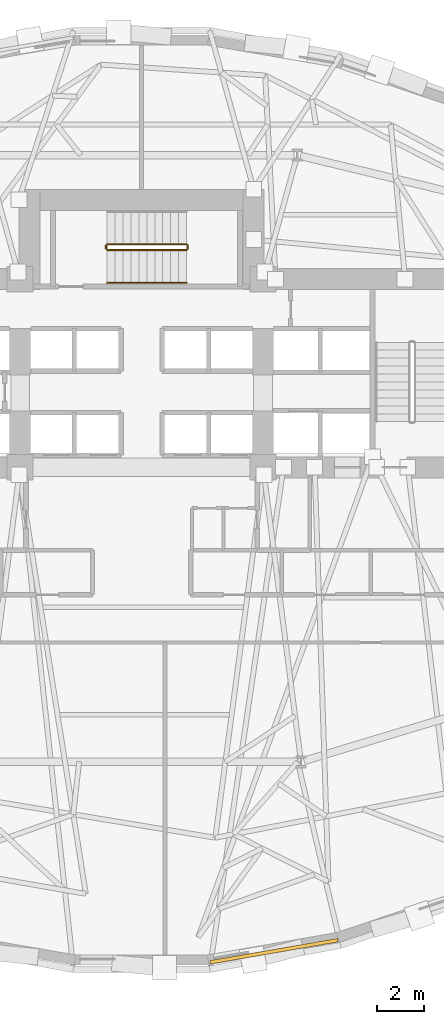
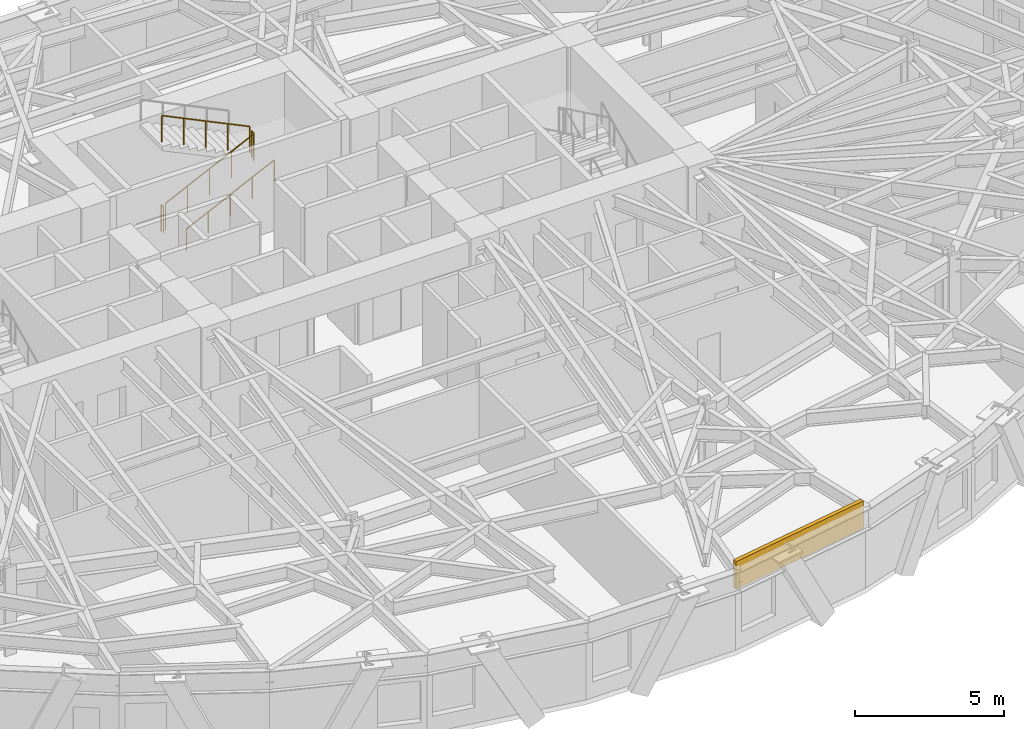
# One storey, part 12 of 14: 5 railings, 1 covering.
"""IFC4 building model written with IfcOpenShell, lengths in metres."""

import ifcopenshell
import ifcopenshell.guid

model = None  # the IFC model being written
_history = None  # IfcOwnerHistory: only IFC2X3 demands one
_inside = {}  # id of a spatial element -> (the spatial element, [elements in it])
_under = {}  # id of a project, library or spatial element -> (it, [spatial elements below it])
_declared = {}  # id of a project -> (the project, [libraries it declares])
_typed = {}  # id of a type object -> (the type object, [elements of that type])
_made_of = {}  # id of a material, layer set ... -> (it, [elements and type objects made of it])


def new_model(schema):
    """Start an empty IFC model of exactly this schema.

    Asked for "IFC4X3", IfcOpenShell would pick the latest addendum, in which some entities
    have other attributes; the version numbers below select the first issue.
    IFC2X3 requires an IfcOwnerHistory on every rooted entity: one is made here for all.
    """
    global model, _history
    if schema == "IFC4X3":
        model = ifcopenshell.file(schema_version=(4, 3, 0, 0))
    else:
        model = ifcopenshell.file(schema=schema)
    _inside.clear()
    _under.clear()
    _declared.clear()
    _typed.clear()
    _made_of.clear()
    _history = None
    if model.schema == "IFC2X3":
        org = make("IfcOrganization", Name="unknown")
        user = make(
            "IfcPersonAndOrganization",
            ThePerson=make("IfcPerson", FamilyName="unknown"),
            TheOrganization=org,
        )
        app = make(
            "IfcApplication",
            ApplicationDeveloper=org,
            Version="unknown",
            ApplicationFullName="unknown",
            ApplicationIdentifier="unknown",
        )
        _history = make(
            "IfcOwnerHistory",
            OwningUser=user,
            OwningApplication=app,
            ChangeAction="ADDED",
            CreationDate=0,
        )
    return model


def make(cls, **values):
    """One entity of the class cls with the attributes given. An attribute that is None is left unset."""
    return model.create_entity(
        cls, **{name: value for name, value in values.items() if value is not None}
    )


def rooted(cls, **values):
    """An entity with a GlobalId (a new one), such as an element, a storey or a relation."""
    return make(cls, GlobalId=ifcopenshell.guid.new(), OwnerHistory=_history, **values)


def si_unit(unit_type, name, prefix=None):
    """IfcSIUnit, for example si_unit("LENGTHUNIT", "METRE", prefix="MILLI")."""
    return make("IfcSIUnit", UnitType=unit_type, Prefix=prefix, Name=name)


def assignment(units):
    """IfcUnitAssignment: the units of a project."""
    return None if units is None else make("IfcUnitAssignment", Units=units)


def point(xyz):
    """IfcCartesianPoint."""
    return None if xyz is None else make("IfcCartesianPoint", Coordinates=xyz)


def direction(xyz):
    """IfcDirection."""
    return None if xyz is None else make("IfcDirection", DirectionRatios=xyz)


def frame(location, z_axis=None, x_axis=None):
    """IfcAxis2Placement3D, a coordinate frame: its origin and axes. An axis left out is left unset."""
    return make(
        "IfcAxis2Placement3D",
        Location=point(location),
        Axis=direction(z_axis),
        RefDirection=direction(x_axis),
    )


def frame_2d(location, x_axis=None):
    """IfcAxis2Placement2D, a coordinate frame in the plane: its origin and x axis."""
    return make(
        "IfcAxis2Placement2D", Location=point(location), RefDirection=direction(x_axis)
    )


def origin():
    """The frame at (0, 0, 0) with its axes left unset."""
    return frame((0.0, 0.0, 0.0))


def origin_2d():
    """The frame at (0, 0) in the plane with its x axis left unset."""
    return frame_2d((0.0, 0.0))


def place(relative_to, where):
    """IfcLocalPlacement: puts the frame where relative to a parent placement (None: the world)."""
    return make(
        "IfcLocalPlacement", PlacementRelTo=relative_to, RelativePlacement=where
    )


def context(
    kind, dimensions, precision=None, world=None, true_north=None, identifier=None
):
    """IfcGeometricRepresentationContext, for example the 3D "Model" context."""
    return make(
        "IfcGeometricRepresentationContext",
        ContextIdentifier=identifier,
        ContextType=kind,
        CoordinateSpaceDimension=dimensions,
        Precision=precision,
        WorldCoordinateSystem=world,
        TrueNorth=true_north,
    )


def subcontext(parent, identifier, kind, view, scale=None):
    """IfcGeometricRepresentationSubContext, for example "Body" below "Model"."""
    return make(
        "IfcGeometricRepresentationSubContext",
        ContextIdentifier=identifier,
        ContextType=kind,
        ParentContext=parent,
        TargetScale=scale,
        TargetView=view,
    )


def project(units=None, contexts=None):
    """IfcProject with its units and contexts."""
    return rooted(
        "IfcProject",
        Name="project",
        RepresentationContexts=contexts,
        UnitsInContext=assignment(units),
    )


def spatial(cls, under=None, at=None, **own):
    """A site, building, storey or space (cls), placed at a placement, below another one or the project."""
    s = rooted(cls, ObjectPlacement=at, **own)
    if under is not None:
        _under.setdefault(under.id(), (under, []))[1].append(s)
    return s


def profile(cls, at=None, kind="AREA", **sizes):
    """A parametric profile (cls). Its sizes go by their IFC names, for example OverallWidth=200.0."""
    return make(cls, ProfileType=kind, Position=at, **sizes)


def rectangle(**sizes):
    """IfcRectangleProfileDef."""
    return profile("IfcRectangleProfileDef", **sizes)


def circle(**sizes):
    """IfcCircleProfileDef."""
    return profile("IfcCircleProfileDef", **sizes)


def extrude(swept, where, along, depth):
    """IfcExtrudedAreaSolid: the profile swept, set in the frame where, extruded along a direction by depth."""
    return make(
        "IfcExtrudedAreaSolid",
        SweptArea=swept,
        Position=where,
        ExtrudedDirection=direction(along),
        Depth=depth,
    )


def shape(context_of_items, identifier, shape_type, items):
    """IfcShapeRepresentation: the items that make up one representation, for example the "Body"."""
    return make(
        "IfcShapeRepresentation",
        ContextOfItems=context_of_items,
        RepresentationIdentifier=identifier,
        RepresentationType=shape_type,
        Items=items,
    )


def material(Name=None, Category=None):
    """IfcMaterial."""
    return make("IfcMaterial", Name=Name, Category=Category)


def layer(
    of_material, thickness, ventilated=None, Name=None, Category=None, Priority=None
):
    """IfcMaterialLayer: one layer of a wall or slab, of a material (None: an air gap)."""
    return make(
        "IfcMaterialLayer",
        Material=of_material,
        LayerThickness=thickness,
        IsVentilated=ventilated,
        Name=Name,
        Category=Category,
        Priority=Priority,
    )


def layer_set(layers, Name=None):
    """IfcMaterialLayerSet."""
    return make("IfcMaterialLayerSet", MaterialLayers=layers, LayerSetName=Name)


def made_of(thing, what):
    """Note that an element or type object is made of a material, layer set ...; save() writes the relation."""
    if what is not None:
        _made_of.setdefault(what.id(), (what, []))[1].append(thing)
    return thing


def type_object(cls, material=None, **own):
    """A type object (cls), such as IfcWallType, which elements share."""
    return made_of(rooted(cls, **own), material)


def element(
    cls,
    number,
    at=None,
    inside=None,
    cuts=None,
    type_object=None,
    material=None,
    context=None,
    identifier="Body",
    shape_type=None,
    held_by="IfcProductDefinitionShape",
    body=None,
    shapes=None,
    **own,
):
    """One element of the class cls, such as IfcWall. Its Tag is "e" and its number.

    at: its placement. inside: the storey or other place that contains it. cuts: it is an
    opening in that element (IfcRelVoidsElement). A single representation is given by context,
    identifier, shape_type and body (its items); several are given by shapes. held_by: the class
    of the entity that holds the representations. save() writes the other relations.
    """
    e = rooted(cls, Tag="e%d" % number, ObjectPlacement=at, **own)
    if body is not None:
        shapes = [shape(context, identifier, shape_type, body)]
    if shapes is not None:
        e.Representation = make(held_by, Representations=shapes)
    if inside is not None:
        _inside.setdefault(inside.id(), (inside, []))[1].append(e)
    if cuts is not None:
        rooted(
            "IfcRelVoidsElement", RelatingBuildingElement=cuts, RelatedOpeningElement=e
        )
    if type_object is not None:
        _typed.setdefault(type_object.id(), (type_object, []))[1].append(e)
    return made_of(e, material)


def aggregate(whole, parts):
    """IfcRelAggregates: a whole, such as a stair, and the parts it consists of."""
    return rooted("IfcRelAggregates", RelatingObject=whole, RelatedObjects=parts)


def save(model, path):
    """Write the relations noted so far, then the file.

    IfcRelAggregates (storeys below a building ...), IfcRelContainedInSpatialStructure (elements
    in a storey), IfcRelDefinesByType, IfcRelAssociatesMaterial and IfcRelDeclares: one each for
    every whole, place, type object, material and project.
    """
    for whole, parts in _under.values():
        aggregate(whole, parts)
    for where, things in _inside.values():
        rooted(
            "IfcRelContainedInSpatialStructure",
            RelatedElements=things,
            RelatingStructure=where,
        )
    for kind, things in _typed.values():
        rooted("IfcRelDefinesByType", RelatedObjects=things, RelatingType=kind)
    for what, things in _made_of.values():
        rooted("IfcRelAssociatesMaterial", RelatedObjects=things, RelatingMaterial=what)
    for by, libraries in _declared.values():
        rooted("IfcRelDeclares", RelatingContext=by, RelatedDefinitions=libraries)
    model.write(path)


model = new_model("IFC4")

# Units and contexts
model_context = context("Model", 3, precision=1e-05, world=origin(), true_north=direction((0.0, 1.0)))
body_context = subcontext(model_context, "Body", "Model", "MODEL_VIEW")
ifc_project = project(units=[si_unit("LENGTHUNIT", "METRE"), si_unit("AREAUNIT", "SQUARE_METRE"), si_unit("VOLUMEUNIT", "CUBIC_METRE"), si_unit("PLANEANGLEUNIT", "RADIAN"), si_unit("MASSUNIT", "GRAM", prefix="KILO")], contexts=[model_context])

# Site, building, storey
site_placement = place(None, origin())
site = spatial("IfcSite", under=ifc_project, at=site_placement, CompositionType="ELEMENT")
building_placement = place(site_placement, origin())
building = spatial("IfcBuilding", under=site, at=building_placement, Name="Keldmark Tower", CompositionType="ELEMENT")
storey_placement = place(building_placement, frame((0.0, 0.0, 63.0)))
storey = spatial("IfcBuildingStorey", under=building, at=storey_placement, Name="L16", CompositionType="ELEMENT", Elevation=63.0)

# Covering
ifc_material_1 = material(Name="Honed Kasota Buff Dolomitic Limestone", Category="masonry")
ifc_layer = layer(ifc_material_1, 0.074951171875)
ifc_layer_set = layer_set([ifc_layer], Name="Honed Kasota Buff Dolomitic Limestone")
covering_type = type_object("IfcCoveringType", Name="Kasota Buff Limestone Spandrel Cladding Band", PredefinedType="CLADDING", material=ifc_layer_set)
covering_placement = place(storey_placement, frame((5.6640625, -19.315185546875, 2.453125), z_axis=(0.0, 0.0, 1.0), x_axis=(0.985309701411, 0.170777025109, 0.0)))
element("IfcCovering", 1, at=covering_placement, inside=storey, type_object=covering_type, Name="L16 Kasota Limestone Spandrel Band 25", PredefinedType="CLADDING", context=body_context, shape_type="SweptSolid", body=[
    extrude(rectangle(XDim=5.545166015625, YDim=0.14990234375, at=origin_2d()), origin(), (0.0, 0.0, 1.0), 1.126953125),
])

# Railings
ifc_material_2 = material(Name="Painted Steel ASTM A500 Grade B", Category="steel")
railing_type_1 = type_object("IfcRailingType", Name="Painted Steel Stair Well Guard 1100 mm", PredefinedType="GUARDRAIL", material=ifc_material_2)
railing_1_placement = place(storey_placement, frame((-1.47509765625, 10.699951171875, 0.16357421875)))
element("IfcRailing", 2, at=railing_1_placement, inside=storey, type_object=railing_type_1, Name="L16 ST3 stair guard 1", PredefinedType="GUARDRAIL", context=body_context, shape_type="SweptSolid", body=[
    extrude(circle(Radius=0.02392578125, at=origin_2d()), frame((0.0, 0.0, 1.076171875), z_axis=(0.901067223353, 0.0, 0.433679442675), x_axis=(0.0, 1.0, 0.0)), (0.0, 0.0, 1.0), 3.7734375),
    extrude(circle(Radius=0.02099609375, at=origin_2d()), origin(), (0.0, 0.0, 1.0), 1.052001953125),
    extrude(circle(Radius=0.02099609375, at=origin_2d()), frame((0.85009765625, 0.0, 0.4091796875)), (0.0, 0.0, 1.0), 1.052001953125),
    extrude(circle(Radius=0.02099609375, at=origin_2d()), frame((1.7001953125, 0.0, 0.818359375)), (0.0, 0.0, 1.0), 1.052001953125),
    extrude(circle(Radius=0.02099609375, at=origin_2d()), frame((2.550048828125, 0.0, 1.227294921875)), (0.0, 0.0, 1.0), 1.052001953125),
    extrude(circle(Radius=0.02099609375, at=origin_2d()), frame((3.400146484375, 0.0, 1.636474609375)), (0.0, 0.0, 1.0), 1.052001953125),
])
railing_2_placement = place(storey_placement, frame((1.97509765625, 10.75, 1.800048828125)))
element("IfcRailing", 3, at=railing_2_placement, inside=storey, type_object=railing_type_1, Name="L16 ST3 stair guard 2", PredefinedType="GUARDRAIL", context=body_context, shape_type="SweptSolid", body=[
    extrude(circle(Radius=0.02392578125, at=origin_2d()), frame((0.0, 0.0, 1.076171875), z_axis=(0.0, 1.0, 0.0), x_axis=(-1.0, 0.0, 0.0)), (0.0, 0.0, 1.0), 0.14990234375),
    extrude(circle(Radius=0.02099609375, at=origin_2d()), origin(), (0.0, 0.0, 1.0), 1.052001953125),
    extrude(circle(Radius=0.02099609375, at=origin_2d()), frame((0.0, 0.14990234375, 0.0)), (0.0, 0.0, 1.0), 1.052001953125),
])
railing_3_placement = place(storey_placement, frame((1.925048828125, 10.949951171875, 1.963623046875)))
element("IfcRailing", 4, at=railing_3_placement, inside=storey, type_object=railing_type_1, Name="L16 ST3 stair guard 3", PredefinedType="GUARDRAIL", context=body_context, shape_type="SweptSolid", body=[
    extrude(circle(Radius=0.02392578125, at=origin_2d()), frame((0.0, 0.0, 1.076171875), z_axis=(-0.901067223353, 0.0, 0.433679442675), x_axis=(0.0, -1.0, 0.0)), (0.0, 0.0, 1.0), 3.7734375),
    extrude(circle(Radius=0.02099609375, at=origin_2d()), origin(), (0.0, 0.0, 1.0), 1.052001953125),
    extrude(circle(Radius=0.02099609375, at=origin_2d()), frame((-0.85009765625, 0.0, 0.4091796875)), (0.0, 0.0, 1.0), 1.052001953125),
    extrude(circle(Radius=0.02099609375, at=origin_2d()), frame((-1.7001953125, 0.0, 0.818359375)), (0.0, 0.0, 1.0), 1.052001953125),
    extrude(circle(Radius=0.02099609375, at=origin_2d()), frame((-2.550048828125, 0.0, 1.227294921875)), (0.0, 0.0, 1.0), 1.052001953125),
    extrude(circle(Radius=0.02099609375, at=origin_2d()), frame((-3.400146484375, 0.0, 1.636474609375)), (0.0, 0.0, 1.0), 1.052001953125),
])
railing_4_placement = place(storey_placement, frame((-1.52490234375, 10.75, 0.0)))
element("IfcRailing", 5, at=railing_4_placement, inside=storey, type_object=railing_type_1, Name="L16 ST3 stair guard 4", PredefinedType="GUARDRAIL", context=body_context, shape_type="SweptSolid", body=[
    extrude(circle(Radius=0.02392578125, at=origin_2d()), frame((0.0, 0.0, 1.076171875), z_axis=(0.0, 1.0, 0.0), x_axis=(-1.0, 0.0, 0.0)), (0.0, 0.0, 1.0), 0.14990234375),
    extrude(circle(Radius=0.02099609375, at=origin_2d()), origin(), (0.0, 0.0, 1.0), 1.052001953125),
    extrude(circle(Radius=0.02099609375, at=origin_2d()), frame((0.0, 0.14990234375, 0.0)), (0.0, 0.0, 1.0), 1.052001953125),
])
ifc_material_3 = material(Name="Stainless Steel AISI 316L", Category="steel")
railing_type_2 = type_object("IfcRailingType", Name="Stainless Steel Stair Handrail 900 mm", PredefinedType="HANDRAIL", material=ifc_material_3)
railing_5_placement = place(storey_placement, frame((-1.47509765625, 9.300048828125, 0.16357421875)))
element("IfcRailing", 6, at=railing_5_placement, inside=storey, type_object=railing_type_2, Name="L16 ST3 stair handrail 1", PredefinedType="HANDRAIL", context=body_context, shape_type="SweptSolid", body=[
    extrude(circle(Radius=0.02392578125, at=origin_2d()), frame((0.0, 0.0, 0.8759765625), z_axis=(0.901067223353, 0.0, 0.433679442675), x_axis=(0.0, 1.0, 0.0)), (0.0, 0.0, 1.0), 3.7734375),
    extrude(circle(Radius=0.02099609375, at=origin_2d()), origin(), (0.0, 0.0, 1.0), 0.851806640625),
    extrude(circle(Radius=0.02099609375, at=origin_2d()), frame((0.85009765625, 0.0, 0.4091796875)), (0.0, 0.0, 1.0), 0.851806640625),
    extrude(circle(Radius=0.02099609375, at=origin_2d()), frame((1.7001953125, 0.0, 0.818359375)), (0.0, 0.0, 1.0), 0.851806640625),
    extrude(circle(Radius=0.02099609375, at=origin_2d()), frame((2.550048828125, 0.0, 1.227294921875)), (0.0, 0.0, 1.0), 0.851806640625),
    extrude(circle(Radius=0.02099609375, at=origin_2d()), frame((3.400146484375, 0.0, 1.636474609375)), (0.0, 0.0, 1.0), 0.851806640625),
])

save(model, "model.ifc")
